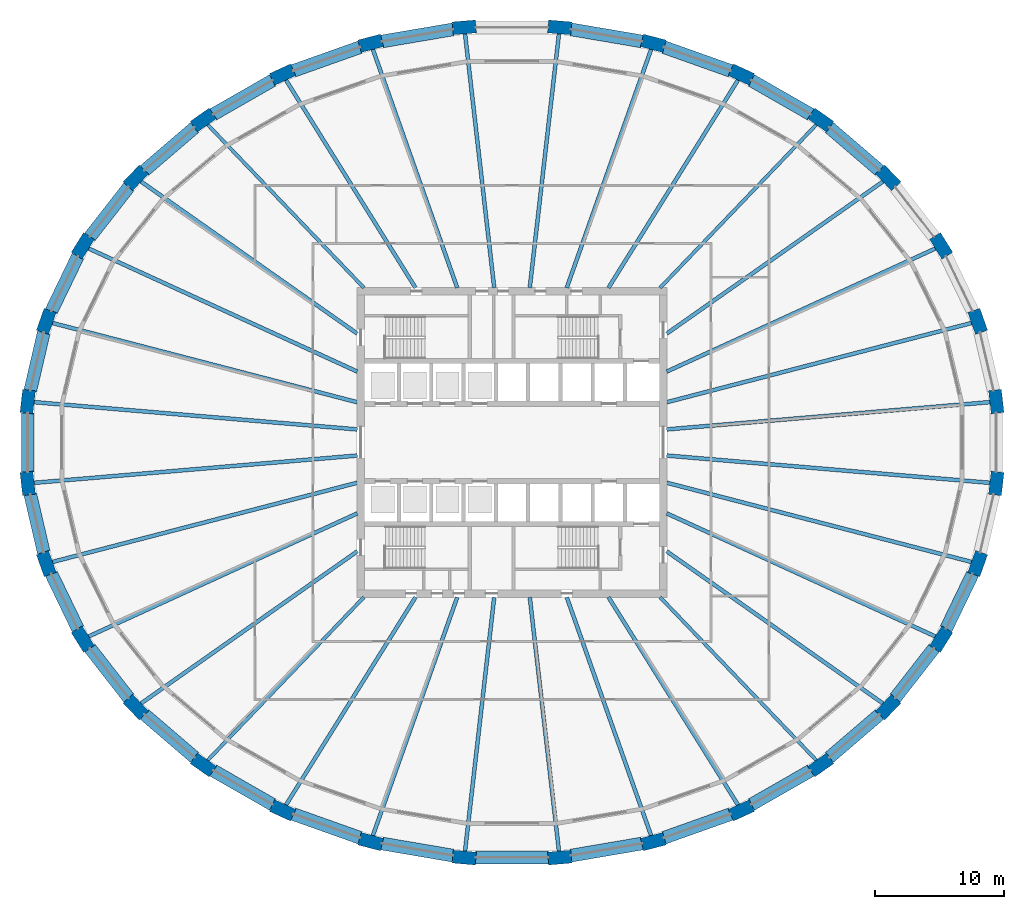
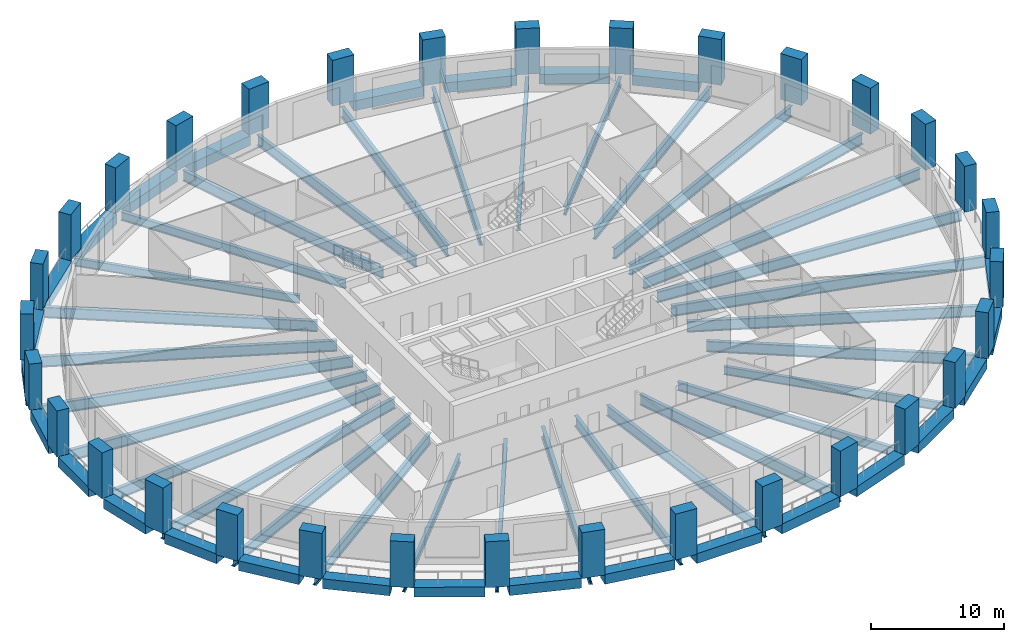
# One storey, part 1 of 11: 58 beams, 32 columns.
"""IFC4 building model written with IfcOpenShell, lengths in metres."""

from ifc_helpers import new_model, si_unit, direction, frame, origin, origin_2d, place, context, subcontext, project, spatial, rectangle, i_section, extrude, material, material_profile, profile_set, type_object, element, save


model = new_model("IFC4")

# Units and contexts
model_context = context("Model", 3, precision=1e-05, world=origin(), true_north=direction((0.0, 1.0)))
body_context = subcontext(model_context, "Body", "Model", "MODEL_VIEW")
ifc_project = project(units=[si_unit("LENGTHUNIT", "METRE"), si_unit("AREAUNIT", "SQUARE_METRE"), si_unit("VOLUMEUNIT", "CUBIC_METRE"), si_unit("PLANEANGLEUNIT", "RADIAN"), si_unit("MASSUNIT", "GRAM", prefix="KILO")], contexts=[model_context])

# Site, building, storey
site_placement = place(None, origin())
site = spatial("IfcSite", under=ifc_project, at=site_placement, CompositionType="ELEMENT")
building_placement = place(site_placement, origin())
building = spatial("IfcBuilding", under=site, at=building_placement, Name="Halqa Exchange Tower", CompositionType="ELEMENT")
storey_placement = place(building_placement, frame((0.0, 0.0, 40.300048828125)))
storey = spatial("IfcBuildingStorey", under=building, at=storey_placement, Name="L08", CompositionType="ELEMENT", Elevation=40.300048828125)

# Columns
ifc_material_1 = material(Name="Concrete C80/95", Category="concrete")
ifc_material_profile_1 = material_profile(ifc_material_1, rectangle(XDim=1.800048828125, YDim=1.0, at=origin_2d()), Name="1800 x 1000")
ifc_profile_set_1 = profile_set([ifc_material_profile_1], Name="Concrete C80/95")
column_type = type_object("IfcColumnType", Name="RC ring column 1800 x 1000 C80/95", PredefinedType="COLUMN", material=ifc_profile_set_1)
for number, where, z_axis, x_axis, name in (
    (1, (37.4765625, 3.163818359375, 0.0), (0.0, 0.0, 1.0), (-0.114155188058, 0.993462929877, 0.0), "Ring column 1"),
    (2, (36.036376953125, 9.369873046875, 0.0), (0.0, 0.0, 1.0), (-0.333630814899, 0.942703813162, 0.0), "Ring column 2"),
    (3, (33.211181640625, 15.2158203125, 0.0), (0.0, 0.0, 1.0), (-0.529141977228, 0.848533303964, 0.0), "Ring column 3"),
    (4, (29.110107421875, 20.47705078125, 0.0), (0.0, 0.0, 1.0), (-0.691574830638, 0.722304820438, 0.0), "Ring column 4"),
    (5, (23.889892578125, 24.951416015625, 0.0), (0.0, 0.0, 1.0), (-0.817911800523, 0.575343624772, 0.0), "Ring column 5"),
    (6, (17.751708984375, 28.466796875, 0.0), (0.0, 0.0, 1.0), (-0.909127822794, 0.416517228722, 0.0), "Ring column 6"),
    (7, (10.931396484375, 30.88818359375, 0.0), (0.0, 0.0, 1.0), (-0.967819064366, 0.251647091481, 0.0), "Ring column 7"),
    (8, (3.691162109375, 32.122802734375, 0.0), (0.0, 0.0, 1.0), (-0.996455225341, 0.084124811391, 0.0), "Ring column 8"),
    (9, (-3.691162109375, 32.122802734375, 0.0), (0.0, 0.0, 1.0), (-0.996455225341, -0.084124811391, 0.0), "Ring column 9"),
    (10, (-10.931396484375, 30.88818359375, 0.0), (0.0, 0.0, 1.0), (-0.967819064366, -0.251647091481, 0.0), "Ring column 10"),
    (11, (-17.751708984375, 28.466796875, 0.0), (0.0, 0.0, 1.0), (-0.909127822794, -0.416517228722, 0.0), "Ring column 11"),
    (12, (-23.889892578125, 24.951416015625, 0.0), (0.0, 0.0, 1.0), (-0.817911800523, -0.575343624772, 0.0), "Ring column 12"),
    (13, (-29.110107421875, 20.47705078125, 0.0), (0.0, 0.0, 1.0), (-0.691574830638, -0.722304820438, 0.0), "Ring column 13"),
    (14, (-33.211181640625, 15.2158203125, 0.0), (0.0, 0.0, 1.0), (-0.529141977228, -0.848533303964, 0.0), "Ring column 14"),
    (15, (-36.036376953125, 9.369873046875, 0.0), (0.0, 0.0, 1.0), (-0.333630814899, -0.942703813162, 0.0), "Ring column 15"),
    (16, (-37.4765625, 3.163818359375, 0.0), (0.0, 0.0, 1.0), (-0.114155188058, -0.993462929877, 0.0), "Ring column 16"),
    (17, (-37.4765625, -3.163818359375, 0.0), (0.0, 0.0, 1.0), (0.114155188058, -0.993462929877, 0.0), "Ring column 17"),
    (18, (-36.036376953125, -9.369873046875, 0.0), (0.0, 0.0, 1.0), (0.333630814899, -0.942703813162, 0.0), "Ring column 18"),
    (19, (-33.211181640625, -15.2158203125, 0.0), (0.0, 0.0, 1.0), (0.529141977228, -0.848533303964, 0.0), "Ring column 19"),
    (20, (-29.110107421875, -20.47705078125, 0.0), (0.0, 0.0, 1.0), (0.691574830638, -0.722304820438, 0.0), "Ring column 20"),
    (21, (-23.889892578125, -24.951416015625, 0.0), (0.0, 0.0, 1.0), (0.817911800523, -0.575343624772, 0.0), "Ring column 21"),
    (22, (-17.751708984375, -28.466796875, 0.0), (0.0, 0.0, 1.0), (0.909127822794, -0.416517228722, 0.0), "Ring column 22"),
    (23, (-10.931396484375, -30.88818359375, 0.0), (0.0, 0.0, 1.0), (0.967819064366, -0.251647091481, 0.0), "Ring column 23"),
    (24, (-3.691162109375, -32.122802734375, 0.0), (0.0, 0.0, 1.0), (0.996455225341, -0.084124811391, 0.0), "Ring column 24"),
    (25, (3.691162109375, -32.122802734375, 0.0), (0.0, 0.0, 1.0), (0.996455225341, 0.084124811391, 0.0), "Ring column 25"),
    (26, (10.931396484375, -30.88818359375, 0.0), (0.0, 0.0, 1.0), (0.967819064366, 0.251647091481, 0.0), "Ring column 26"),
    (27, (17.751708984375, -28.466796875, 0.0), (0.0, 0.0, 1.0), (0.909127822794, 0.416517228722, 0.0), "Ring column 27"),
    (28, (23.889892578125, -24.951416015625, 0.0), (0.0, 0.0, 1.0), (0.817911800523, 0.575343624772, 0.0), "Ring column 28"),
    (29, (29.110107421875, -20.47705078125, 0.0), (0.0, 0.0, 1.0), (0.691574830638, 0.722304820438, 0.0), "Ring column 29"),
    (30, (33.211181640625, -15.2158203125, 0.0), (0.0, 0.0, 1.0), (0.529141977228, 0.848533303964, 0.0), "Ring column 30"),
    (31, (36.036376953125, -9.369873046875, 0.0), (0.0, 0.0, 1.0), (0.333630814899, 0.942703813162, 0.0), "Ring column 31"),
    (32, (37.4765625, -3.163818359375, 0.0), (0.0, 0.0, 1.0), (0.114155188058, 0.993462929877, 0.0), "Ring column 32"),
):
    element("IfcColumn", number, at=place(storey_placement, frame(where, z_axis=z_axis, x_axis=x_axis)), inside=storey, type_object=column_type, Name=name, PredefinedType="COLUMN", context=body_context, shape_type="SweptSolid", body=[
        extrude(rectangle(XDim=1.800048828125, YDim=1.0, at=origin_2d()), origin(), (0.0, 0.0, 1.0), 4.199951171875),
    ])

# Beams
ifc_material_2 = material(Name="Steel S355", Category="steel")
ifc_material_profile_2 = material_profile(ifc_material_2, i_section(OverallWidth=0.300048828125, OverallDepth=0.989990234375, WebThickness=0.0166015625, FlangeThickness=0.031005859375, FilletRadius=0.030029296875, at=origin_2d()), Name="HEA 1000")
ifc_profile_set_2 = profile_set([ifc_material_profile_2], Name="Steel S355")
beam_type_1 = type_object("IfcBeamType", Name="Floor beam HEA 1000", PredefinedType="BEAM", material=ifc_profile_set_2)
beam_1_placement = place(storey_placement, frame((11.972412109375, 5.485107421875, -0.795166015625), z_axis=(0.909127504728, 0.416517922961, 0.0), x_axis=(-0.416517922961, 0.909127504728, 0.0)))
element("IfcBeam", 33, at=beam_1_placement, inside=storey, type_object=beam_type_1, Name="Radial beam 3", PredefinedType="BEAM", context=body_context, shape_type="SweptSolid", body=[
    extrude(i_section(OverallWidth=0.300048828125, OverallDepth=0.989990234375, WebThickness=0.0166015625, FlangeThickness=0.031005859375, FilletRadius=0.030029296875, at=origin_2d()), origin(), (0.0, 0.0, 1.0), 22.98583984375),
])
beam_2_placement = place(storey_placement, frame((11.972412109375, 8.421875, -0.795166015625), z_axis=(0.817909814648, 0.575346447892, 0.0), x_axis=(-0.575346447892, 0.817909814648, 0.0)))
element("IfcBeam", 34, at=beam_2_placement, inside=storey, type_object=beam_type_1, Name="Radial beam 4", PredefinedType="BEAM", context=body_context, shape_type="SweptSolid", body=[
    extrude(i_section(OverallWidth=0.300048828125, OverallDepth=0.989990234375, WebThickness=0.0166015625, FlangeThickness=0.031005859375, FilletRadius=0.030029296875, at=origin_2d()), origin(), (0.0, 0.0, 1.0), 20.576904296875),
])
beam_3_placement = place(storey_placement, frame((4.23681640625, 11.971923828125, -0.795166015625), z_axis=(0.333629334542, 0.942704337071, 0.0), x_axis=(-0.942704337071, 0.333629334542, 0.0)))
element("IfcBeam", 35, at=beam_3_placement, inside=storey, type_object=beam_type_1, Name="Radial beam 7", PredefinedType="BEAM", context=body_context, shape_type="SweptSolid", body=[
    extrude(i_section(OverallWidth=0.300048828125, OverallDepth=0.989990234375, WebThickness=0.0166015625, FlangeThickness=0.031005859375, FilletRadius=0.030029296875, at=origin_2d()), origin(), (0.0, 0.0, 1.0), 19.69189453125),
])
for number, where, z_axis, x_axis, name in (
    (36, (1.375732421875, 11.972900390625, -0.795166015625), (0.114158678634, 0.993462528781, 0.0), (-0.993462528781, 0.114158678634, 0.0), "Radial beam 8"),
    (37, (-1.375732421875, 11.972900390625, -0.795166015625), (-0.114158678634, 0.993462528781, 0.0), (-0.993462528781, -0.114158678634, 0.0), "Radial beam 9"),
):
    element("IfcBeam", number, at=place(storey_placement, frame(where, z_axis=z_axis, x_axis=x_axis)), inside=storey, type_object=beam_type_1, Name=name, PredefinedType="BEAM", context=body_context, shape_type="SweptSolid", body=[
        extrude(i_section(OverallWidth=0.300048828125, OverallDepth=0.989990234375, WebThickness=0.0166015625, FlangeThickness=0.031005859375, FilletRadius=0.030029296875, at=origin_2d()), origin(), (0.0, 0.0, 1.0), 19.910400390625),
    ])
beam_4_placement = place(storey_placement, frame((-4.23681640625, 11.971923828125, -0.795166015625), z_axis=(-0.333629334542, 0.942704337071, 0.0), x_axis=(-0.942704337071, -0.333629334542, 0.0)))
element("IfcBeam", 38, at=beam_4_placement, inside=storey, type_object=beam_type_1, Name="Radial beam 10", PredefinedType="BEAM", context=body_context, shape_type="SweptSolid", body=[
    extrude(i_section(OverallWidth=0.300048828125, OverallDepth=0.989990234375, WebThickness=0.0166015625, FlangeThickness=0.031005859375, FilletRadius=0.030029296875, at=origin_2d()), origin(), (0.0, 0.0, 1.0), 19.69189453125),
])
beam_5_placement = place(storey_placement, frame((-11.972412109375, 8.421875, -0.795166015625), z_axis=(-0.817909814648, 0.575346447892, 0.0), x_axis=(-0.575346447892, -0.817909814648, 0.0)))
element("IfcBeam", 39, at=beam_5_placement, inside=storey, type_object=beam_type_1, Name="Radial beam 13", PredefinedType="BEAM", context=body_context, shape_type="SweptSolid", body=[
    extrude(i_section(OverallWidth=0.300048828125, OverallDepth=0.989990234375, WebThickness=0.0166015625, FlangeThickness=0.031005859375, FilletRadius=0.030029296875, at=origin_2d()), origin(), (0.0, 0.0, 1.0), 20.576904296875),
])
for number, where, z_axis, x_axis, name in (
    (40, (-11.972412109375, 5.485107421875, -0.795166015625), (-0.909127504728, 0.416517922961, 0.0), (-0.416517922961, -0.909127504728, 0.0), "Radial beam 14"),
    (41, (-11.972412109375, -5.485107421875, -0.795166015625), (-0.909127504728, -0.416517922961, 0.0), (0.416517922961, -0.909127504728, 0.0), "Radial beam 19"),
):
    element("IfcBeam", number, at=place(storey_placement, frame(where, z_axis=z_axis, x_axis=x_axis)), inside=storey, type_object=beam_type_1, Name=name, PredefinedType="BEAM", context=body_context, shape_type="SweptSolid", body=[
        extrude(i_section(OverallWidth=0.300048828125, OverallDepth=0.989990234375, WebThickness=0.0166015625, FlangeThickness=0.031005859375, FilletRadius=0.030029296875, at=origin_2d()), origin(), (0.0, 0.0, 1.0), 22.98583984375),
    ])
beam_6_placement = place(storey_placement, frame((-11.972412109375, -8.421875, -0.795166015625), z_axis=(-0.817909814648, -0.575346447892, 0.0), x_axis=(0.575346447892, -0.817909814648, 0.0)))
element("IfcBeam", 42, at=beam_6_placement, inside=storey, type_object=beam_type_1, Name="Radial beam 20", PredefinedType="BEAM", context=body_context, shape_type="SweptSolid", body=[
    extrude(i_section(OverallWidth=0.300048828125, OverallDepth=0.989990234375, WebThickness=0.0166015625, FlangeThickness=0.031005859375, FilletRadius=0.030029296875, at=origin_2d()), origin(), (0.0, 0.0, 1.0), 20.576904296875),
])
beam_7_placement = place(storey_placement, frame((-4.23681640625, -11.971923828125, -0.795166015625), z_axis=(-0.333629334542, -0.942704337071, 0.0), x_axis=(0.942704337071, -0.333629334542, 0.0)))
element("IfcBeam", 43, at=beam_7_placement, inside=storey, type_object=beam_type_1, Name="Radial beam 23", PredefinedType="BEAM", context=body_context, shape_type="SweptSolid", body=[
    extrude(i_section(OverallWidth=0.300048828125, OverallDepth=0.989990234375, WebThickness=0.0166015625, FlangeThickness=0.031005859375, FilletRadius=0.030029296875, at=origin_2d()), origin(), (0.0, 0.0, 1.0), 19.69189453125),
])
for number, where, z_axis, x_axis, name in (
    (44, (-1.375732421875, -11.972900390625, -0.795166015625), (-0.114158678634, -0.993462528781, 0.0), (0.993462528781, -0.114158678634, 0.0), "Radial beam 24"),
    (45, (1.375732421875, -11.972900390625, -0.795166015625), (0.114158678634, -0.993462528781, 0.0), (0.993462528781, 0.114158678634, 0.0), "Radial beam 25"),
):
    element("IfcBeam", number, at=place(storey_placement, frame(where, z_axis=z_axis, x_axis=x_axis)), inside=storey, type_object=beam_type_1, Name=name, PredefinedType="BEAM", context=body_context, shape_type="SweptSolid", body=[
        extrude(i_section(OverallWidth=0.300048828125, OverallDepth=0.989990234375, WebThickness=0.0166015625, FlangeThickness=0.031005859375, FilletRadius=0.030029296875, at=origin_2d()), origin(), (0.0, 0.0, 1.0), 19.910400390625),
    ])
beam_8_placement = place(storey_placement, frame((4.23681640625, -11.971923828125, -0.795166015625), z_axis=(0.333629334542, -0.942704337071, 0.0), x_axis=(0.942704337071, 0.333629334542, 0.0)))
element("IfcBeam", 46, at=beam_8_placement, inside=storey, type_object=beam_type_1, Name="Radial beam 26", PredefinedType="BEAM", context=body_context, shape_type="SweptSolid", body=[
    extrude(i_section(OverallWidth=0.300048828125, OverallDepth=0.989990234375, WebThickness=0.0166015625, FlangeThickness=0.031005859375, FilletRadius=0.030029296875, at=origin_2d()), origin(), (0.0, 0.0, 1.0), 19.69189453125),
])
beam_9_placement = place(storey_placement, frame((11.972412109375, -8.421875, -0.795166015625), z_axis=(0.817909814648, -0.575346447892, 0.0), x_axis=(0.575346447892, 0.817909814648, 0.0)))
element("IfcBeam", 47, at=beam_9_placement, inside=storey, type_object=beam_type_1, Name="Radial beam 29", PredefinedType="BEAM", context=body_context, shape_type="SweptSolid", body=[
    extrude(i_section(OverallWidth=0.300048828125, OverallDepth=0.989990234375, WebThickness=0.0166015625, FlangeThickness=0.031005859375, FilletRadius=0.030029296875, at=origin_2d()), origin(), (0.0, 0.0, 1.0), 20.576904296875),
])
beam_10_placement = place(storey_placement, frame((11.972412109375, -5.485107421875, -0.795166015625), z_axis=(0.909127504728, -0.416517922961, 0.0), x_axis=(0.416517922961, 0.909127504728, 0.0)))
element("IfcBeam", 48, at=beam_10_placement, inside=storey, type_object=beam_type_1, Name="Radial beam 30", PredefinedType="BEAM", context=body_context, shape_type="SweptSolid", body=[
    extrude(i_section(OverallWidth=0.300048828125, OverallDepth=0.989990234375, WebThickness=0.0166015625, FlangeThickness=0.031005859375, FilletRadius=0.030029296875, at=origin_2d()), origin(), (0.0, 0.0, 1.0), 22.98583984375),
])
ifc_material_profile_3 = material_profile(ifc_material_2, i_section(OverallWidth=0.300048828125, OverallDepth=0.7900390625, WebThickness=0.014892578125, FlangeThickness=0.028076171875, FilletRadius=0.030029296875, at=origin_2d()), Name="HEA 800")
ifc_profile_set_3 = profile_set([ifc_material_profile_3], Name="Steel S355")
beam_type_2 = type_object("IfcBeamType", Name="Floor beam HEA 800", PredefinedType="BEAM", material=ifc_profile_set_3)
for number, where, z_axis, x_axis, name in (
    (49, (7.46533203125, 11.971435546875, -0.695068359375), (0.529139911738, 0.848534591992, 0.0), (-0.848534591992, 0.529139911738, 0.0), "Radial beam 6"),
    (50, (-7.46533203125, 11.971435546875, -0.695068359375), (-0.529139911738, 0.848534591992, 0.0), (-0.848534591992, -0.529139911738, 0.0), "Radial beam 11"),
    (51, (-7.46533203125, -11.971435546875, -0.695068359375), (-0.529139911738, -0.848534591992, 0.0), (0.848534591992, -0.529139911738, 0.0), "Radial beam 22"),
    (52, (7.46533203125, -11.971435546875, -0.695068359375), (0.529139911738, -0.848534591992, 0.0), (0.848534591992, 0.529139911738, 0.0), "Radial beam 27"),
):
    element("IfcBeam", number, at=place(storey_placement, frame(where, z_axis=z_axis, x_axis=x_axis)), inside=storey, type_object=beam_type_2, Name=name, PredefinedType="BEAM", context=body_context, shape_type="SweptSolid", body=[
        extrude(i_section(OverallWidth=0.300048828125, OverallDepth=0.7900390625, WebThickness=0.014892578125, FlangeThickness=0.028076171875, FilletRadius=0.030029296875, at=origin_2d()), origin(), (0.0, 0.0, 1.0), 19.063720703125),
    ])
ifc_material_profile_4 = material_profile(ifc_material_2, i_section(OverallWidth=0.302001953125, OverallDepth=1.008056640625, WebThickness=0.02099609375, FlangeThickness=0.0400390625, FilletRadius=0.030029296875, at=origin_2d()), Name="HEM 1000")
ifc_profile_set_4 = profile_set([ifc_material_profile_4], Name="Steel S355")
beam_type_3 = type_object("IfcBeamType", Name="Floor beam HEM 1000", PredefinedType="BEAM", material=ifc_profile_set_4)
beam_11_placement = place(storey_placement, frame((11.972412109375, 1.0107421875, -0.803955078125), z_axis=(0.996455391934, 0.084122838075, 0.0), x_axis=(-0.084122838075, 0.996455391934, 0.0)))
element("IfcBeam", 53, at=beam_11_placement, inside=storey, type_object=beam_type_3, Name="Radial beam 1", PredefinedType="BEAM", context=body_context, shape_type="SweptSolid", body=[
    extrude(i_section(OverallWidth=0.302001953125, OverallDepth=1.008056640625, WebThickness=0.02099609375, FlangeThickness=0.0400390625, FilletRadius=0.030029296875, at=origin_2d()), origin(), (0.0, 0.0, 1.0), 25.222900390625),
])
for number, where, z_axis, x_axis, name in (
    (54, (11.971435546875, 3.11279296875, -0.803955078125), (0.967819156454, 0.251646737313, 0.0), (-0.251646737313, 0.967819156454, 0.0), "Radial beam 2"),
    (55, (-11.971435546875, 3.11279296875, -0.803955078125), (-0.967819156454, 0.251646737313, 0.0), (-0.251646737313, -0.967819156454, 0.0), "Radial beam 15"),
):
    element("IfcBeam", number, at=place(storey_placement, frame(where, z_axis=z_axis, x_axis=x_axis)), inside=storey, type_object=beam_type_3, Name=name, PredefinedType="BEAM", context=body_context, shape_type="SweptSolid", body=[
        extrude(i_section(OverallWidth=0.302001953125, OverallDepth=1.008056640625, WebThickness=0.02099609375, FlangeThickness=0.0400390625, FilletRadius=0.030029296875, at=origin_2d()), origin(), (0.0, 0.0, 1.0), 24.490966796875),
    ])
for number, where, z_axis, x_axis, name in (
    (56, (-11.972412109375, 1.0107421875, -0.803955078125), (-0.996455391934, 0.084122838075, 0.0), (-0.084122838075, -0.996455391934, 0.0), "Radial beam 16"),
    (57, (-11.972412109375, -1.0107421875, -0.803955078125), (-0.996455391934, -0.084122838075, 0.0), (0.084122838075, -0.996455391934, 0.0), "Radial beam 17"),
):
    element("IfcBeam", number, at=place(storey_placement, frame(where, z_axis=z_axis, x_axis=x_axis)), inside=storey, type_object=beam_type_3, Name=name, PredefinedType="BEAM", context=body_context, shape_type="SweptSolid", body=[
        extrude(i_section(OverallWidth=0.302001953125, OverallDepth=1.008056640625, WebThickness=0.02099609375, FlangeThickness=0.0400390625, FilletRadius=0.030029296875, at=origin_2d()), origin(), (0.0, 0.0, 1.0), 25.222900390625),
    ])
for number, where, z_axis, x_axis, name in (
    (58, (-11.971435546875, -3.11279296875, -0.803955078125), (-0.967819156454, -0.251646737313, 0.0), (0.251646737313, -0.967819156454, 0.0), "Radial beam 18"),
    (59, (11.971435546875, -3.11279296875, -0.803955078125), (0.967819156454, -0.251646737313, 0.0), (0.251646737313, 0.967819156454, 0.0), "Radial beam 31"),
):
    element("IfcBeam", number, at=place(storey_placement, frame(where, z_axis=z_axis, x_axis=x_axis)), inside=storey, type_object=beam_type_3, Name=name, PredefinedType="BEAM", context=body_context, shape_type="SweptSolid", body=[
        extrude(i_section(OverallWidth=0.302001953125, OverallDepth=1.008056640625, WebThickness=0.02099609375, FlangeThickness=0.0400390625, FilletRadius=0.030029296875, at=origin_2d()), origin(), (0.0, 0.0, 1.0), 24.490966796875),
    ])
beam_12_placement = place(storey_placement, frame((11.972412109375, -1.0107421875, -0.803955078125), z_axis=(0.996455391934, -0.084122838075, 0.0), x_axis=(0.084122838075, 0.996455391934, 0.0)))
element("IfcBeam", 60, at=beam_12_placement, inside=storey, type_object=beam_type_3, Name="Radial beam 32", PredefinedType="BEAM", context=body_context, shape_type="SweptSolid", body=[
    extrude(i_section(OverallWidth=0.302001953125, OverallDepth=1.008056640625, WebThickness=0.02099609375, FlangeThickness=0.0400390625, FilletRadius=0.030029296875, at=origin_2d()), origin(), (0.0, 0.0, 1.0), 25.222900390625),
])
ifc_material_profile_5 = material_profile(ifc_material_2, i_section(OverallWidth=0.264892578125, OverallDepth=0.7529296875, WebThickness=0.01318359375, FlangeThickness=0.01708984375, FilletRadius=0.01708984375, at=origin_2d()), Name="IPE 750x147")
ifc_profile_set_5 = profile_set([ifc_material_profile_5], Name="Steel S355")
beam_type_4 = type_object("IfcBeamType", Name="Floor beam IPE 750x147", PredefinedType="BEAM", material=ifc_profile_set_5)
for number, where, z_axis, x_axis, name in (
    (61, (11.462890625, 11.97216796875, -0.676513671875), (0.691577968949, 0.722301815631, 0.0), (-0.722301815631, 0.691577968949, 0.0), "Radial beam 5"),
    (62, (-11.462890625, 11.97216796875, -0.676513671875), (-0.691577968949, 0.722301815631, 0.0), (-0.722301815631, -0.691577968949, 0.0), "Radial beam 12"),
    (63, (-11.462890625, -11.97216796875, -0.676513671875), (-0.691577968949, -0.722301815631, 0.0), (0.722301815631, -0.691577968949, 0.0), "Radial beam 21"),
    (64, (11.462890625, -11.97216796875, -0.676513671875), (0.691577968949, -0.722301815631, 0.0), (0.722301815631, 0.691577968949, 0.0), "Radial beam 28"),
):
    element("IfcBeam", number, at=place(storey_placement, frame(where, z_axis=z_axis, x_axis=x_axis)), inside=storey, type_object=beam_type_4, Name=name, PredefinedType="BEAM", context=body_context, shape_type="SweptSolid", body=[
        extrude(i_section(OverallWidth=0.264892578125, OverallDepth=0.7529296875, WebThickness=0.01318359375, FlangeThickness=0.01708984375, FilletRadius=0.01708984375, at=origin_2d()), origin(), (0.0, 0.0, 1.0), 17.593017578125),
    ])
ifc_material_3 = material(Name="Concrete C60/75", Category="concrete")
ifc_material_profile_6 = material_profile(ifc_material_3, rectangle(XDim=1.0, YDim=0.89990234375, at=origin_2d()), Name="1000 x 900")
ifc_profile_set_6 = profile_set([ifc_material_profile_6], Name="Concrete C60/75")
beam_type_5 = type_object("IfcBeamType", Name="RC spandrel beam 1000 x 900 C60/75", PredefinedType="SPANDREL", material=ifc_profile_set_6)
beam_13_placement = place(storey_placement, frame((28.444580078125, 21.04736328125, -0.449951171875), z_axis=(-0.759249875312, 0.650799221602, 0.0), x_axis=(-0.650799221602, -0.759249875312, 0.0)))
element("IfcBeam", 65, at=beam_13_placement, inside=storey, type_object=beam_type_5, Name="Spandrel 4", PredefinedType="SPANDREL", context=body_context, shape_type="SweptSolid", body=[
    extrude(rectangle(XDim=1.0, YDim=0.89990234375, at=origin_2d()), origin(), (0.0, 0.0, 1.0), 5.123779296875),
])
beam_14_placement = place(storey_placement, frame((23.129638671875, 25.38671875, -0.449951171875), z_axis=(-0.867743060026, 0.497013059966, 0.0), x_axis=(-0.497013059966, -0.867743060026, 0.0)))
element("IfcBeam", 66, at=beam_14_placement, inside=storey, type_object=beam_type_5, Name="Spandrel 5", PredefinedType="SPANDREL", context=body_context, shape_type="SweptSolid", body=[
    extrude(rectangle(XDim=1.0, YDim=0.89990234375, at=origin_2d()), origin(), (0.0, 0.0, 1.0), 5.322265625),
])
beam_15_placement = place(storey_placement, frame((16.926025390625, 28.760009765625, -0.449951171875), z_axis=(-0.942362573301, 0.334593455468, 0.0), x_axis=(-0.334593455468, -0.942362573301, 0.0)))
element("IfcBeam", 67, at=beam_15_placement, inside=storey, type_object=beam_type_5, Name="Spandrel 6", PredefinedType="SPANDREL", context=body_context, shape_type="SweptSolid", body=[
    extrude(rectangle(XDim=1.0, YDim=0.89990234375, at=origin_2d()), origin(), (0.0, 0.0, 1.0), 5.485595703125),
])
for number, where, z_axis, x_axis, name in (
    (68, (10.06884765625, 31.035400390625, -0.449951171875), (-0.98577383032, 0.16807723063, 0.0), (-0.16807723063, -0.98577383032, 0.0), "Spandrel 7"),
    (69, (-4.55322265625, 31.975830078125, -0.449951171875), (-0.98577383032, -0.16807723063, 0.0), (0.16807723063, -0.98577383032, 0.0), "Spandrel 9"),
):
    element("IfcBeam", number, at=place(storey_placement, frame(where, z_axis=z_axis, x_axis=x_axis)), inside=storey, type_object=beam_type_5, Name=name, PredefinedType="SPANDREL", context=body_context, shape_type="SweptSolid", body=[
        extrude(rectangle(XDim=1.0, YDim=0.89990234375, at=origin_2d()), origin(), (0.0, 0.0, 1.0), 5.59521484375),
    ])
beam_16_placement = place(storey_placement, frame((-11.756591796875, 30.595458984375, -0.449951171875), z_axis=(-0.942362573301, -0.334593455468, 0.0), x_axis=(0.334593455468, -0.942362573301, 0.0)))
element("IfcBeam", 70, at=beam_16_placement, inside=storey, type_object=beam_type_5, Name="Spandrel 10", PredefinedType="SPANDREL", context=body_context, shape_type="SweptSolid", body=[
    extrude(rectangle(XDim=1.0, YDim=0.89990234375, at=origin_2d()), origin(), (0.0, 0.0, 1.0), 5.485595703125),
])
beam_17_placement = place(storey_placement, frame((-18.51123046875, 28.031982421875, -0.449951171875), z_axis=(-0.867743060026, -0.497013059966, 0.0), x_axis=(0.497013059966, -0.867743060026, 0.0)))
element("IfcBeam", 71, at=beam_17_placement, inside=storey, type_object=beam_type_5, Name="Spandrel 11", PredefinedType="SPANDREL", context=body_context, shape_type="SweptSolid", body=[
    extrude(rectangle(XDim=1.0, YDim=0.89990234375, at=origin_2d()), origin(), (0.0, 0.0, 1.0), 5.322265625),
])
beam_18_placement = place(storey_placement, frame((-24.554443359375, 24.3818359375, -0.449951171875), z_axis=(-0.759249875312, -0.650799221602, 0.0), x_axis=(0.650799221602, -0.759249875312, 0.0)))
element("IfcBeam", 72, at=beam_18_placement, inside=storey, type_object=beam_type_5, Name="Spandrel 12", PredefinedType="SPANDREL", context=body_context, shape_type="SweptSolid", body=[
    extrude(rectangle(XDim=1.0, YDim=0.89990234375, at=origin_2d()), origin(), (0.0, 0.0, 1.0), 5.123779296875),
])
beam_19_placement = place(storey_placement, frame((-29.648193359375, 19.78662109375, -0.449951171875), z_axis=(-0.614778716326, -0.788699644955, 0.0), x_axis=(0.788699644955, -0.614778716326, 0.0)))
element("IfcBeam", 73, at=beam_19_placement, inside=storey, type_object=beam_type_5, Name="Spandrel 13", PredefinedType="SPANDREL", context=body_context, shape_type="SweptSolid", body=[
    extrude(rectangle(XDim=1.0, YDim=0.89990234375, at=origin_2d()), origin(), (0.0, 0.0, 1.0), 4.918701171875),
])
beam_20_placement = place(storey_placement, frame((-33.59326171875, 14.42529296875, -0.449951171875), z_axis=(-0.435115053314, -0.900374861033, 0.0), x_axis=(0.900374861033, -0.435115053314, 0.0)))
element("IfcBeam", 74, at=beam_20_placement, inside=storey, type_object=beam_type_5, Name="Spandrel 14", PredefinedType="SPANDREL", context=body_context, shape_type="SweptSolid", body=[
    extrude(rectangle(XDim=1.0, YDim=0.89990234375, at=origin_2d()), origin(), (0.0, 0.0, 1.0), 4.73779296875),
])
beam_21_placement = place(storey_placement, frame((-36.23486328125, 8.514892578125, -0.449951171875), z_axis=(-0.226057098176, -0.974114053058, 0.0), x_axis=(0.974114053058, -0.226057098176, 0.0)))
element("IfcBeam", 75, at=beam_21_placement, inside=storey, type_object=beam_type_5, Name="Spandrel 15", PredefinedType="SPANDREL", context=body_context, shape_type="SweptSolid", body=[
    extrude(rectangle(XDim=1.0, YDim=0.89990234375, at=origin_2d()), origin(), (0.0, 0.0, 1.0), 4.61474609375),
])
beam_22_placement = place(storey_placement, frame((-37.4765625, 2.28515625, -0.449951171875), z_axis=(0.0, -1.0, 0.0), x_axis=(1.0, 0.0, 0.0)))
element("IfcBeam", 76, at=beam_22_placement, inside=storey, type_object=beam_type_5, Name="Spandrel 16", PredefinedType="SPANDREL", context=body_context, shape_type="SweptSolid", body=[
    extrude(rectangle(XDim=1.0, YDim=0.89990234375, at=origin_2d()), origin(), (0.0, 0.0, 1.0), 4.5703125),
])
beam_23_placement = place(storey_placement, frame((-37.278076171875, -4.01953125, -0.449951171875), z_axis=(0.226057098176, -0.974114053058, 0.0), x_axis=(0.974114053058, 0.226057098176, 0.0)))
element("IfcBeam", 77, at=beam_23_placement, inside=storey, type_object=beam_type_5, Name="Spandrel 17", PredefinedType="SPANDREL", context=body_context, shape_type="SweptSolid", body=[
    extrude(rectangle(XDim=1.0, YDim=0.89990234375, at=origin_2d()), origin(), (0.0, 0.0, 1.0), 4.61474609375),
])
beam_24_placement = place(storey_placement, frame((-35.65478515625, -10.159423828125, -0.449951171875), z_axis=(0.435115053314, -0.900374861033, 0.0), x_axis=(0.900374861033, 0.435115053314, 0.0)))
element("IfcBeam", 78, at=beam_24_placement, inside=storey, type_object=beam_type_5, Name="Spandrel 18", PredefinedType="SPANDREL", context=body_context, shape_type="SweptSolid", body=[
    extrude(rectangle(XDim=1.0, YDim=0.89990234375, at=origin_2d()), origin(), (0.0, 0.0, 1.0), 4.73779296875),
])
beam_25_placement = place(storey_placement, frame((-32.672119140625, -15.9072265625, -0.449951171875), z_axis=(0.614778716326, -0.788699644955, 0.0), x_axis=(0.788699644955, 0.614778716326, 0.0)))
element("IfcBeam", 79, at=beam_25_placement, inside=storey, type_object=beam_type_5, Name="Spandrel 19", PredefinedType="SPANDREL", context=body_context, shape_type="SweptSolid", body=[
    extrude(rectangle(XDim=1.0, YDim=0.89990234375, at=origin_2d()), origin(), (0.0, 0.0, 1.0), 4.918701171875),
])
beam_26_placement = place(storey_placement, frame((-28.444580078125, -21.04736328125, -0.449951171875), z_axis=(0.759249875312, -0.650799221602, 0.0), x_axis=(0.650799221602, 0.759249875312, 0.0)))
element("IfcBeam", 80, at=beam_26_placement, inside=storey, type_object=beam_type_5, Name="Spandrel 20", PredefinedType="SPANDREL", context=body_context, shape_type="SweptSolid", body=[
    extrude(rectangle(XDim=1.0, YDim=0.89990234375, at=origin_2d()), origin(), (0.0, 0.0, 1.0), 5.123779296875),
])
beam_27_placement = place(storey_placement, frame((-23.129638671875, -25.38671875, -0.449951171875), z_axis=(0.867743060026, -0.497013059966, 0.0), x_axis=(0.497013059966, 0.867743060026, 0.0)))
element("IfcBeam", 81, at=beam_27_placement, inside=storey, type_object=beam_type_5, Name="Spandrel 21", PredefinedType="SPANDREL", context=body_context, shape_type="SweptSolid", body=[
    extrude(rectangle(XDim=1.0, YDim=0.89990234375, at=origin_2d()), origin(), (0.0, 0.0, 1.0), 5.322265625),
])
beam_28_placement = place(storey_placement, frame((-16.926025390625, -28.760009765625, -0.449951171875), z_axis=(0.942362573301, -0.334593455468, 0.0), x_axis=(0.334593455468, 0.942362573301, 0.0)))
element("IfcBeam", 82, at=beam_28_placement, inside=storey, type_object=beam_type_5, Name="Spandrel 22", PredefinedType="SPANDREL", context=body_context, shape_type="SweptSolid", body=[
    extrude(rectangle(XDim=1.0, YDim=0.89990234375, at=origin_2d()), origin(), (0.0, 0.0, 1.0), 5.485595703125),
])
beam_29_placement = place(storey_placement, frame((-10.06884765625, -31.035400390625, -0.449951171875), z_axis=(0.98577383032, -0.16807723063, 0.0), x_axis=(0.16807723063, 0.98577383032, 0.0)))
element("IfcBeam", 83, at=beam_29_placement, inside=storey, type_object=beam_type_5, Name="Spandrel 23", PredefinedType="SPANDREL", context=body_context, shape_type="SweptSolid", body=[
    extrude(rectangle(XDim=1.0, YDim=0.89990234375, at=origin_2d()), origin(), (0.0, 0.0, 1.0), 5.59521484375),
])
beam_30_placement = place(storey_placement, frame((-2.816650390625, -32.122802734375, -0.449951171875), z_axis=(1.0, 0.0, 0.0), x_axis=(0.0, 1.0, 0.0)))
element("IfcBeam", 84, at=beam_30_placement, inside=storey, type_object=beam_type_5, Name="Spandrel 24", PredefinedType="SPANDREL", context=body_context, shape_type="SweptSolid", body=[
    extrude(rectangle(XDim=1.0, YDim=0.89990234375, at=origin_2d()), origin(), (0.0, 0.0, 1.0), 5.63330078125),
])
beam_31_placement = place(storey_placement, frame((4.55322265625, -31.975830078125, -0.449951171875), z_axis=(0.98577383032, 0.16807723063, 0.0), x_axis=(-0.16807723063, 0.98577383032, 0.0)))
element("IfcBeam", 85, at=beam_31_placement, inside=storey, type_object=beam_type_5, Name="Spandrel 25", PredefinedType="SPANDREL", context=body_context, shape_type="SweptSolid", body=[
    extrude(rectangle(XDim=1.0, YDim=0.89990234375, at=origin_2d()), origin(), (0.0, 0.0, 1.0), 5.59521484375),
])
beam_32_placement = place(storey_placement, frame((11.756591796875, -30.595458984375, -0.449951171875), z_axis=(0.942362573301, 0.334593455468, 0.0), x_axis=(-0.334593455468, 0.942362573301, 0.0)))
element("IfcBeam", 86, at=beam_32_placement, inside=storey, type_object=beam_type_5, Name="Spandrel 26", PredefinedType="SPANDREL", context=body_context, shape_type="SweptSolid", body=[
    extrude(rectangle(XDim=1.0, YDim=0.89990234375, at=origin_2d()), origin(), (0.0, 0.0, 1.0), 5.485595703125),
])
beam_33_placement = place(storey_placement, frame((18.51123046875, -28.031982421875, -0.449951171875), z_axis=(0.867743060026, 0.497013059966, 0.0), x_axis=(-0.497013059966, 0.867743060026, 0.0)))
element("IfcBeam", 87, at=beam_33_placement, inside=storey, type_object=beam_type_5, Name="Spandrel 27", PredefinedType="SPANDREL", context=body_context, shape_type="SweptSolid", body=[
    extrude(rectangle(XDim=1.0, YDim=0.89990234375, at=origin_2d()), origin(), (0.0, 0.0, 1.0), 5.322265625),
])
beam_34_placement = place(storey_placement, frame((24.554443359375, -24.3818359375, -0.449951171875), z_axis=(0.759249875312, 0.650799221602, 0.0), x_axis=(-0.650799221602, 0.759249875312, 0.0)))
element("IfcBeam", 88, at=beam_34_placement, inside=storey, type_object=beam_type_5, Name="Spandrel 28", PredefinedType="SPANDREL", context=body_context, shape_type="SweptSolid", body=[
    extrude(rectangle(XDim=1.0, YDim=0.89990234375, at=origin_2d()), origin(), (0.0, 0.0, 1.0), 5.123779296875),
])
beam_35_placement = place(storey_placement, frame((29.648193359375, -19.78662109375, -0.449951171875), z_axis=(0.614778716326, 0.788699644955, 0.0), x_axis=(-0.788699644955, 0.614778716326, 0.0)))
element("IfcBeam", 89, at=beam_35_placement, inside=storey, type_object=beam_type_5, Name="Spandrel 29", PredefinedType="SPANDREL", context=body_context, shape_type="SweptSolid", body=[
    extrude(rectangle(XDim=1.0, YDim=0.89990234375, at=origin_2d()), origin(), (0.0, 0.0, 1.0), 4.918701171875),
])
beam_36_placement = place(storey_placement, frame((33.59326171875, -14.42529296875, -0.449951171875), z_axis=(0.435115053314, 0.900374861033, 0.0), x_axis=(-0.900374861033, 0.435115053314, 0.0)))
element("IfcBeam", 90, at=beam_36_placement, inside=storey, type_object=beam_type_5, Name="Spandrel 30", PredefinedType="SPANDREL", context=body_context, shape_type="SweptSolid", body=[
    extrude(rectangle(XDim=1.0, YDim=0.89990234375, at=origin_2d()), origin(), (0.0, 0.0, 1.0), 4.73779296875),
])

save(model, "model.ifc")
